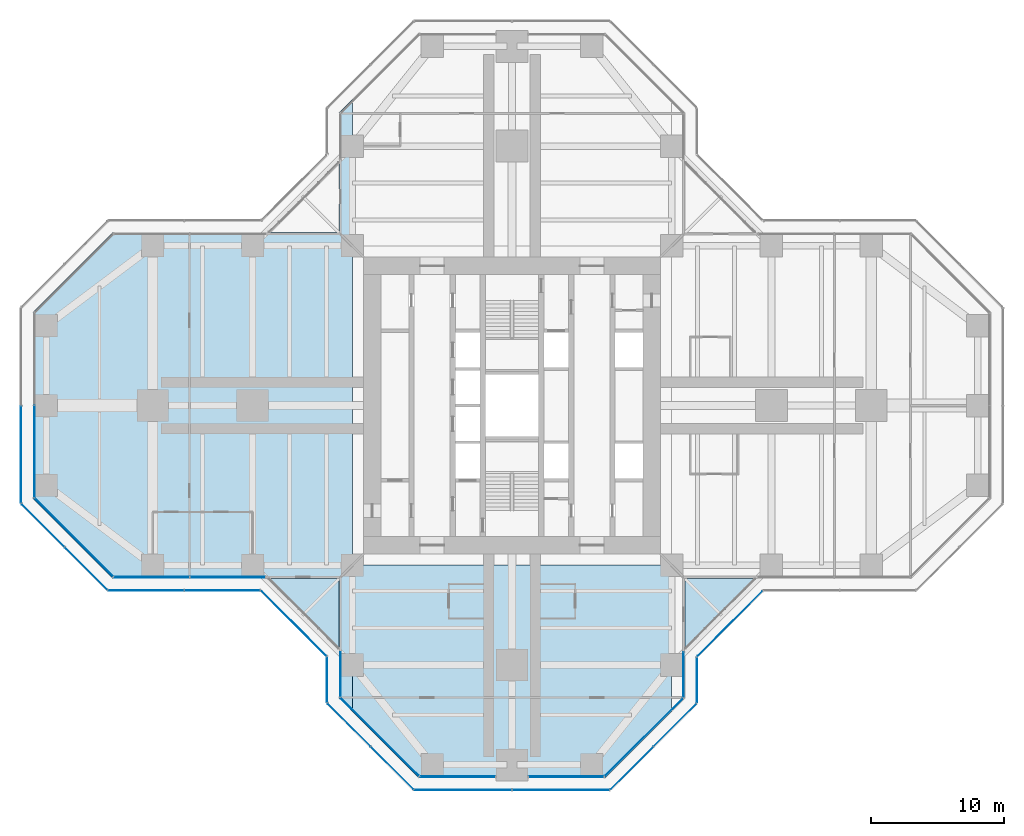
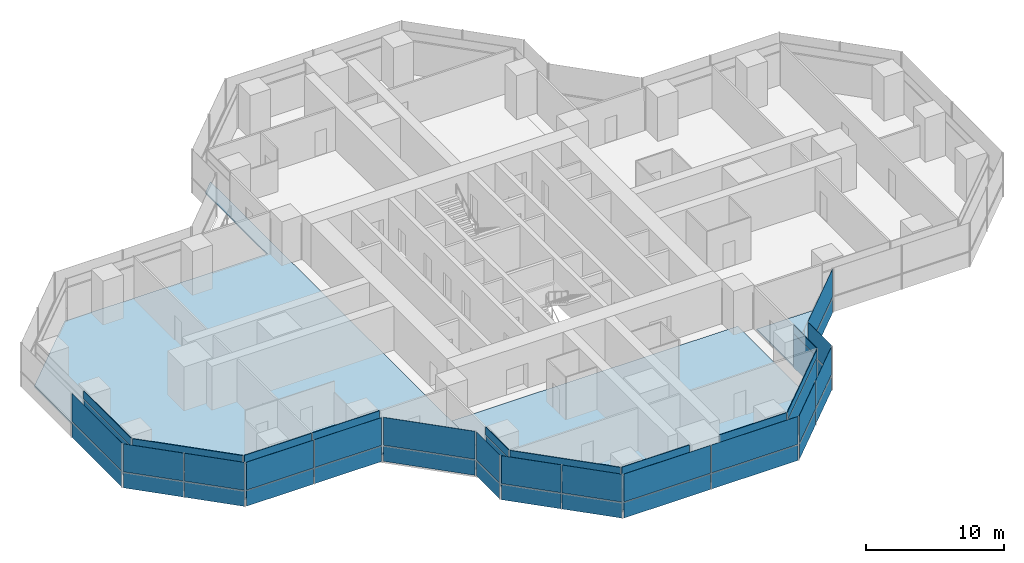
# One storey, part 12 of 19: 50 plates, 4 slabs, 19 elements without a shape of their own.
"""IFC4 building model written with IfcOpenShell, lengths in metres."""

import ifcopenshell
import ifcopenshell.guid

model = None  # the IFC model being written
_history = None  # IfcOwnerHistory: only IFC2X3 demands one
_inside = {}  # id of a spatial element -> (the spatial element, [elements in it])
_under = {}  # id of a project, library or spatial element -> (it, [spatial elements below it])
_declared = {}  # id of a project -> (the project, [libraries it declares])
_typed = {}  # id of a type object -> (the type object, [elements of that type])
_made_of = {}  # id of a material, layer set ... -> (it, [elements and type objects made of it])


def new_model(schema):
    """Start an empty IFC model of exactly this schema.

    Asked for "IFC4X3", IfcOpenShell would pick the latest addendum, in which some entities
    have other attributes; the version numbers below select the first issue.
    IFC2X3 requires an IfcOwnerHistory on every rooted entity: one is made here for all.
    """
    global model, _history
    if schema == "IFC4X3":
        model = ifcopenshell.file(schema_version=(4, 3, 0, 0))
    else:
        model = ifcopenshell.file(schema=schema)
    _inside.clear()
    _under.clear()
    _declared.clear()
    _typed.clear()
    _made_of.clear()
    _history = None
    if model.schema == "IFC2X3":
        org = make("IfcOrganization", Name="unknown")
        user = make(
            "IfcPersonAndOrganization",
            ThePerson=make("IfcPerson", FamilyName="unknown"),
            TheOrganization=org,
        )
        app = make(
            "IfcApplication",
            ApplicationDeveloper=org,
            Version="unknown",
            ApplicationFullName="unknown",
            ApplicationIdentifier="unknown",
        )
        _history = make(
            "IfcOwnerHistory",
            OwningUser=user,
            OwningApplication=app,
            ChangeAction="ADDED",
            CreationDate=0,
        )
    return model


def make(cls, **values):
    """One entity of the class cls with the attributes given. An attribute that is None is left unset."""
    return model.create_entity(
        cls, **{name: value for name, value in values.items() if value is not None}
    )


def rooted(cls, **values):
    """An entity with a GlobalId (a new one), such as an element, a storey or a relation."""
    return make(cls, GlobalId=ifcopenshell.guid.new(), OwnerHistory=_history, **values)


def si_unit(unit_type, name, prefix=None):
    """IfcSIUnit, for example si_unit("LENGTHUNIT", "METRE", prefix="MILLI")."""
    return make("IfcSIUnit", UnitType=unit_type, Prefix=prefix, Name=name)


def assignment(units):
    """IfcUnitAssignment: the units of a project."""
    return None if units is None else make("IfcUnitAssignment", Units=units)


def point(xyz):
    """IfcCartesianPoint."""
    return None if xyz is None else make("IfcCartesianPoint", Coordinates=xyz)


def direction(xyz):
    """IfcDirection."""
    return None if xyz is None else make("IfcDirection", DirectionRatios=xyz)


def frame(location, z_axis=None, x_axis=None):
    """IfcAxis2Placement3D, a coordinate frame: its origin and axes. An axis left out is left unset."""
    return make(
        "IfcAxis2Placement3D",
        Location=point(location),
        Axis=direction(z_axis),
        RefDirection=direction(x_axis),
    )


def frame_2d(location, x_axis=None):
    """IfcAxis2Placement2D, a coordinate frame in the plane: its origin and x axis."""
    return make(
        "IfcAxis2Placement2D", Location=point(location), RefDirection=direction(x_axis)
    )


def origin():
    """The frame at (0, 0, 0) with its axes left unset."""
    return frame((0.0, 0.0, 0.0))


def origin_2d():
    """The frame at (0, 0) in the plane with its x axis left unset."""
    return frame_2d((0.0, 0.0))


def place(relative_to, where):
    """IfcLocalPlacement: puts the frame where relative to a parent placement (None: the world)."""
    return make(
        "IfcLocalPlacement", PlacementRelTo=relative_to, RelativePlacement=where
    )


def context(
    kind, dimensions, precision=None, world=None, true_north=None, identifier=None
):
    """IfcGeometricRepresentationContext, for example the 3D "Model" context."""
    return make(
        "IfcGeometricRepresentationContext",
        ContextIdentifier=identifier,
        ContextType=kind,
        CoordinateSpaceDimension=dimensions,
        Precision=precision,
        WorldCoordinateSystem=world,
        TrueNorth=true_north,
    )


def subcontext(parent, identifier, kind, view, scale=None):
    """IfcGeometricRepresentationSubContext, for example "Body" below "Model"."""
    return make(
        "IfcGeometricRepresentationSubContext",
        ContextIdentifier=identifier,
        ContextType=kind,
        ParentContext=parent,
        TargetScale=scale,
        TargetView=view,
    )


def project(units=None, contexts=None):
    """IfcProject with its units and contexts."""
    return rooted(
        "IfcProject",
        Name="project",
        RepresentationContexts=contexts,
        UnitsInContext=assignment(units),
    )


def spatial(cls, under=None, at=None, **own):
    """A site, building, storey or space (cls), placed at a placement, below another one or the project."""
    s = rooted(cls, ObjectPlacement=at, **own)
    if under is not None:
        _under.setdefault(under.id(), (under, []))[1].append(s)
    return s


def polyline(points):
    """IfcPolyline through the points."""
    return make("IfcPolyline", Points=[point(p) for p in points])


def profile(cls, at=None, kind="AREA", **sizes):
    """A parametric profile (cls). Its sizes go by their IFC names, for example OverallWidth=200.0."""
    return make(cls, ProfileType=kind, Position=at, **sizes)


def rectangle(**sizes):
    """IfcRectangleProfileDef."""
    return profile("IfcRectangleProfileDef", **sizes)


def outline(outer, holes=None, kind="AREA"):
    """IfcArbitraryClosedProfileDef: a profile drawn as a closed curve; with holes, ...WithVoids."""
    if holes is None:
        return make("IfcArbitraryClosedProfileDef", ProfileType=kind, OuterCurve=outer)
    return make(
        "IfcArbitraryProfileDefWithVoids",
        ProfileType=kind,
        OuterCurve=outer,
        InnerCurves=holes,
    )


def extrude(swept, where, along, depth):
    """IfcExtrudedAreaSolid: the profile swept, set in the frame where, extruded along a direction by depth."""
    return make(
        "IfcExtrudedAreaSolid",
        SweptArea=swept,
        Position=where,
        ExtrudedDirection=direction(along),
        Depth=depth,
    )


def shape(context_of_items, identifier, shape_type, items):
    """IfcShapeRepresentation: the items that make up one representation, for example the "Body"."""
    return make(
        "IfcShapeRepresentation",
        ContextOfItems=context_of_items,
        RepresentationIdentifier=identifier,
        RepresentationType=shape_type,
        Items=items,
    )


def material(Name=None, Category=None):
    """IfcMaterial."""
    return make("IfcMaterial", Name=Name, Category=Category)


def layer(
    of_material, thickness, ventilated=None, Name=None, Category=None, Priority=None
):
    """IfcMaterialLayer: one layer of a wall or slab, of a material (None: an air gap)."""
    return make(
        "IfcMaterialLayer",
        Material=of_material,
        LayerThickness=thickness,
        IsVentilated=ventilated,
        Name=Name,
        Category=Category,
        Priority=Priority,
    )


def layer_set(layers, Name=None):
    """IfcMaterialLayerSet."""
    return make("IfcMaterialLayerSet", MaterialLayers=layers, LayerSetName=Name)


def made_of(thing, what):
    """Note that an element or type object is made of a material, layer set ...; save() writes the relation."""
    if what is not None:
        _made_of.setdefault(what.id(), (what, []))[1].append(thing)
    return thing


def type_object(cls, material=None, **own):
    """A type object (cls), such as IfcWallType, which elements share."""
    return made_of(rooted(cls, **own), material)


def element(
    cls,
    number,
    at=None,
    inside=None,
    cuts=None,
    type_object=None,
    material=None,
    context=None,
    identifier="Body",
    shape_type=None,
    held_by="IfcProductDefinitionShape",
    body=None,
    shapes=None,
    **own,
):
    """One element of the class cls, such as IfcWall. Its Tag is "e" and its number.

    at: its placement. inside: the storey or other place that contains it. cuts: it is an
    opening in that element (IfcRelVoidsElement). A single representation is given by context,
    identifier, shape_type and body (its items); several are given by shapes. held_by: the class
    of the entity that holds the representations. save() writes the other relations.
    """
    e = rooted(cls, Tag="e%d" % number, ObjectPlacement=at, **own)
    if body is not None:
        shapes = [shape(context, identifier, shape_type, body)]
    if shapes is not None:
        e.Representation = make(held_by, Representations=shapes)
    if inside is not None:
        _inside.setdefault(inside.id(), (inside, []))[1].append(e)
    if cuts is not None:
        rooted(
            "IfcRelVoidsElement", RelatingBuildingElement=cuts, RelatedOpeningElement=e
        )
    if type_object is not None:
        _typed.setdefault(type_object.id(), (type_object, []))[1].append(e)
    return made_of(e, material)


def aggregate(whole, parts):
    """IfcRelAggregates: a whole, such as a stair, and the parts it consists of."""
    return rooted("IfcRelAggregates", RelatingObject=whole, RelatedObjects=parts)


def save(model, path):
    """Write the relations noted so far, then the file.

    IfcRelAggregates (storeys below a building ...), IfcRelContainedInSpatialStructure (elements
    in a storey), IfcRelDefinesByType, IfcRelAssociatesMaterial and IfcRelDeclares: one each for
    every whole, place, type object, material and project.
    """
    for whole, parts in _under.values():
        aggregate(whole, parts)
    for where, things in _inside.values():
        rooted(
            "IfcRelContainedInSpatialStructure",
            RelatedElements=things,
            RelatingStructure=where,
        )
    for kind, things in _typed.values():
        rooted("IfcRelDefinesByType", RelatedObjects=things, RelatingType=kind)
    for what, things in _made_of.values():
        rooted("IfcRelAssociatesMaterial", RelatedObjects=things, RelatingMaterial=what)
    for by, libraries in _declared.values():
        rooted("IfcRelDeclares", RelatingContext=by, RelatedDefinitions=libraries)
    model.write(path)


model = new_model("IFC4")

# Units and contexts
model_context = context("Model", 3, precision=1e-05, world=origin(), true_north=direction((0.0, 1.0)))
body_context = subcontext(model_context, "Body", "Model", "MODEL_VIEW")
ifc_project = project(units=[si_unit("LENGTHUNIT", "METRE"), si_unit("AREAUNIT", "SQUARE_METRE"), si_unit("VOLUMEUNIT", "CUBIC_METRE"), si_unit("PLANEANGLEUNIT", "RADIAN"), si_unit("MASSUNIT", "GRAM", prefix="KILO")], contexts=[model_context])

# Site, building, storey
site_placement = place(None, origin())
site = spatial("IfcSite", under=ifc_project, at=site_placement, CompositionType="ELEMENT")
building_placement = place(site_placement, origin())
building = spatial("IfcBuilding", under=site, at=building_placement, Name="Mizan Broadcast Tower", CompositionType="ELEMENT")
storey_placement = place(building_placement, frame((0.0, 0.0, 186.60009765625)))
storey = spatial("IfcBuildingStorey", under=building, at=storey_placement, Name="L43", CompositionType="ELEMENT", Elevation=186.60009765625)

# Slabs
ifc_material_1 = material(Name="Concrete C32/40", Category="concrete")
ifc_layer_1 = layer(ifc_material_1, 0.1298828125)
ifc_layer_set_1 = layer_set([ifc_layer_1], Name="Concrete C32/40")
slab_type_1 = type_object("IfcSlabType", Name="COMPOSITE DECK SLAB 130", PredefinedType="FLOOR", material=ifc_layer_set_1)
slab_1_placement = place(storey_placement, frame((0.0, 0.0, -0.130126953125)))
element("IfcSlab", 1, at=slab_1_placement, inside=storey, type_object=slab_type_1, Name="Floor slab L43 west arm", PredefinedType="FLOOR", context=body_context, shape_type="SweptSolid", body=[
    extrude(outline(polyline([(-13.0, -22.0), (-12.0, -23.0), (-12.0, 23.0), (-13.0, 22.0), (-13.0, 13.0), (-30.0, 13.0), (-36.0, 7.0), (-36.0, -7.0), (-30.0, -13.0), (-13.0, -13.0), (-13.0, -22.0)])), origin(), (0.0, 0.0, 1.0), 0.130126953125),
])
slab_2_placement = place(storey_placement, frame((0.0, 0.0, -0.130126953125)))
element("IfcSlab", 2, at=slab_2_placement, inside=storey, type_object=slab_type_1, Name="Floor slab L43 south arm", PredefinedType="FLOOR", context=body_context, shape_type="SweptSolid", body=[
    extrude(outline(polyline([(7.0, -28.0), (12.0, -23.0), (12.0, -12.0), (-12.0, -12.0), (-12.0, -23.0), (-7.0, -28.0), (7.0, -28.0)])), origin(), (0.0, 0.0, 1.0), 0.130126953125),
])

# Curtain wall, plate
ifc_material_2 = material(Name="Aluminium framed glazing", Category="aluminium")
curtain_wall_type_1 = type_object("IfcCurtainWallType", Name="INNER SKIN MID ZONE", PredefinedType="USERDEFINED", material=ifc_material_2)
curtain_wall_1_placement = place(storey_placement, origin())
curtain_wall_1 = element("IfcCurtainWall", 3, at=curtain_wall_1_placement, inside=storey, type_object=curtain_wall_type_1, Name="Inner skin mid zone L43 W end", ObjectType="INNER SKIN MID ZONE", PredefinedType="USERDEFINED")
ifc_material_3 = material(Name="Double glazing, clear low-e", Category="glass")
ifc_layer_2 = layer(ifc_material_3, 0.028076171875)
ifc_layer_set_2 = layer_set([ifc_layer_2], Name="Double glazing, clear low-e")
plate_type_1 = type_object("IfcPlateType", Name="INNER SKIN GLAZING UNIT", PredefinedType="CURTAIN_PANEL", material=ifc_layer_set_2)
plate_1_placement = place(storey_placement, frame((-35.89990234375, -3.46435546875, 0.0), z_axis=(0.0, 0.0, 1.0), x_axis=(0.0, -1.0, 0.0)))
plate_1 = element("IfcPlate", 4, at=plate_1_placement, type_object=plate_type_1, Name="Inner skin mid zone L43 W end panel 2.1", PredefinedType="CURTAIN_PANEL", context=body_context, shape_type="SweptSolid", body=[
    extrude(rectangle(XDim=6.86865234375, YDim=0.028076171875, at=origin_2d()), origin(), (0.0, 0.0, 1.0), 3.0),
])

curtain_wall_2_placement = place(storey_placement, origin())
curtain_wall_2 = element("IfcCurtainWall", 5, at=curtain_wall_2_placement, inside=storey, type_object=curtain_wall_type_1, Name="Inner skin mid zone L43 W chamfer", ObjectType="INNER SKIN MID ZONE", PredefinedType="USERDEFINED")
plate_2_placement = place(storey_placement, frame((-32.92919921875, -9.92919921875, 0.0), z_axis=(0.0, 0.0, 1.0), x_axis=(0.707106781187, -0.707106781187, 0.0)))
plate_2 = element("IfcPlate", 6, at=plate_2_placement, type_object=plate_type_1, Name="Inner skin mid zone L43 W chamfer panel 1.1", PredefinedType="CURTAIN_PANEL", context=body_context, shape_type="SweptSolid", body=[
    extrude(rectangle(XDim=8.282470703125, YDim=0.028076171875, at=origin_2d()), origin(), (0.0, 0.0, 1.0), 3.0),
])

# Curtain wall, plates
curtain_wall_3_placement = place(storey_placement, origin())
curtain_wall_3 = element("IfcCurtainWall", 7, at=curtain_wall_3_placement, inside=storey, type_object=curtain_wall_type_1, Name="Inner skin mid zone L43 W side", ObjectType="INNER SKIN MID ZONE", PredefinedType="USERDEFINED")
plate_3_placement = place(storey_placement, frame((-27.078857421875, -12.89990234375, 0.0), z_axis=(0.0, 0.0, 1.0), x_axis=(1.0, 0.0, 0.0)))
plate_3 = element("IfcPlate", 8, at=plate_3_placement, type_object=plate_type_1, Name="Inner skin mid zone L43 W side panel 1.1", PredefinedType="CURTAIN_PANEL", context=body_context, shape_type="SweptSolid", body=[
    extrude(rectangle(XDim=5.639404296875, YDim=0.028076171875, at=origin_2d()), origin(), (0.0, 0.0, 1.0), 3.0),
])
plate_4_placement = place(storey_placement, frame((-21.379638671875, -12.89990234375, 0.0), z_axis=(0.0, 0.0, 1.0), x_axis=(1.0, 0.0, 0.0)))
plate_4 = element("IfcPlate", 9, at=plate_4_placement, type_object=plate_type_1, Name="Inner skin mid zone L43 W side panel 2.1", PredefinedType="CURTAIN_PANEL", context=body_context, shape_type="SweptSolid", body=[
    extrude(rectangle(XDim=5.639404296875, YDim=0.028076171875, at=origin_2d()), origin(), (0.0, 0.0, 1.0), 3.0),
])

# Curtain wall, plate
curtain_wall_4_placement = place(storey_placement, origin())
curtain_wall_4 = element("IfcCurtainWall", 10, at=curtain_wall_4_placement, inside=storey, type_object=curtain_wall_type_1, Name="Inner skin mid zone L43 S side", ObjectType="INNER SKIN MID ZONE", PredefinedType="USERDEFINED")
plate_5_placement = place(storey_placement, frame((-12.89990234375, -20.229248046875, 0.0), z_axis=(0.0, 0.0, 1.0), x_axis=(0.0, -1.0, 0.0)))
plate_5 = element("IfcPlate", 11, at=plate_5_placement, type_object=plate_type_1, Name="Inner skin mid zone L43 S side panel 1.1", PredefinedType="CURTAIN_PANEL", context=body_context, shape_type="SweptSolid", body=[
    extrude(rectangle(XDim=3.338623046875, YDim=0.028076171875, at=origin_2d()), origin(), (0.0, 0.0, 1.0), 3.0),
])

curtain_wall_5_placement = place(storey_placement, origin())
curtain_wall_5 = element("IfcCurtainWall", 12, at=curtain_wall_5_placement, inside=storey, type_object=curtain_wall_type_1, Name="Inner skin mid zone L43 S chamfer", ObjectType="INNER SKIN MID ZONE", PredefinedType="USERDEFINED")
plate_6_placement = place(storey_placement, frame((-9.92919921875, -24.92919921875, 0.0), z_axis=(0.0, 0.0, 1.0), x_axis=(0.707106781187, -0.707106781187, 0.0)))
plate_6 = element("IfcPlate", 13, at=plate_6_placement, type_object=plate_type_1, Name="Inner skin mid zone L43 S chamfer panel 1.1", PredefinedType="CURTAIN_PANEL", context=body_context, shape_type="SweptSolid", body=[
    extrude(rectangle(XDim=8.282470703125, YDim=0.028076171875, at=origin_2d()), origin(), (0.0, 0.0, 1.0), 3.0),
])

curtain_wall_6_placement = place(storey_placement, origin())
curtain_wall_6 = element("IfcCurtainWall", 14, at=curtain_wall_6_placement, inside=storey, type_object=curtain_wall_type_1, Name="Inner skin mid zone L43 S end", ObjectType="INNER SKIN MID ZONE", PredefinedType="USERDEFINED")
plate_7_placement = place(storey_placement, frame((-4.079345703125, -27.89990234375, 0.0), z_axis=(0.0, 0.0, 1.0), x_axis=(1.0, 0.0, 0.0)))
plate_7 = element("IfcPlate", 15, at=plate_7_placement, type_object=plate_type_1, Name="Inner skin mid zone L43 S end panel 1.1", PredefinedType="CURTAIN_PANEL", context=body_context, shape_type="SweptSolid", body=[
    extrude(rectangle(XDim=5.638671875, YDim=0.028076171875, at=origin_2d()), origin(), (0.0, 0.0, 1.0), 3.0),
])

curtain_wall_7_placement = place(storey_placement, origin())
curtain_wall_7 = element("IfcCurtainWall", 16, at=curtain_wall_7_placement, inside=storey, type_object=curtain_wall_type_1, Name="Inner skin mid zone L43 S end", ObjectType="INNER SKIN MID ZONE", PredefinedType="USERDEFINED")
plate_8_placement = place(storey_placement, frame((4.079345703125, -27.89990234375, 0.0), z_axis=(0.0, 0.0, 1.0), x_axis=(1.0, 0.0, 0.0)))
plate_8 = element("IfcPlate", 17, at=plate_8_placement, type_object=plate_type_1, Name="Inner skin mid zone L43 S end panel 1.1", PredefinedType="CURTAIN_PANEL", context=body_context, shape_type="SweptSolid", body=[
    extrude(rectangle(XDim=5.638671875, YDim=0.028076171875, at=origin_2d()), origin(), (0.0, 0.0, 1.0), 3.0),
])

curtain_wall_8_placement = place(storey_placement, origin())
curtain_wall_8 = element("IfcCurtainWall", 18, at=curtain_wall_8_placement, inside=storey, type_object=curtain_wall_type_1, Name="Inner skin mid zone L43 S chamfer", ObjectType="INNER SKIN MID ZONE", PredefinedType="USERDEFINED")
plate_9_placement = place(storey_placement, frame((9.92919921875, -24.92919921875, 0.0), z_axis=(0.0, 0.0, 1.0), x_axis=(0.707106781187, 0.707106781187, 0.0)))
plate_9 = element("IfcPlate", 19, at=plate_9_placement, type_object=plate_type_1, Name="Inner skin mid zone L43 S chamfer panel 1.1", PredefinedType="CURTAIN_PANEL", context=body_context, shape_type="SweptSolid", body=[
    extrude(rectangle(XDim=8.282470703125, YDim=0.028076171875, at=origin_2d()), origin(), (0.0, 0.0, 1.0), 3.0),
])

curtain_wall_9_placement = place(storey_placement, origin())
curtain_wall_9 = element("IfcCurtainWall", 20, at=curtain_wall_9_placement, inside=storey, type_object=curtain_wall_type_1, Name="Inner skin mid zone L43 S side", ObjectType="INNER SKIN MID ZONE", PredefinedType="USERDEFINED")
plate_10_placement = place(storey_placement, frame((12.89990234375, -20.229248046875, 0.0), z_axis=(0.0, 0.0, 1.0), x_axis=(0.0, 1.0, 0.0)))
plate_10 = element("IfcPlate", 21, at=plate_10_placement, type_object=plate_type_1, Name="Inner skin mid zone L43 S side panel 1.1", PredefinedType="CURTAIN_PANEL", context=body_context, shape_type="SweptSolid", body=[
    extrude(rectangle(XDim=3.338623046875, YDim=0.028076171875, at=origin_2d()), origin(), (0.0, 0.0, 1.0), 3.0),
])

# Plate
ifc_material_4 = material(Name="Insulated aluminium spandrel panel, pale anodised", Category="aluminium")
ifc_layer_3 = layer(ifc_material_4, 0.050048828125)
ifc_layer_set_3 = layer_set([ifc_layer_3], Name="Insulated aluminium spandrel panel, pale anodised")
plate_type_2 = type_object("IfcPlateType", Name="INNER SKIN SPANDREL PANEL", PredefinedType="CURTAIN_PANEL", material=ifc_layer_set_3)
plate_11_placement = place(storey_placement, frame((-35.89990234375, -3.46435546875, 3.059814453125), z_axis=(0.0, 0.0, 1.0), x_axis=(0.0, -1.0, 0.0)))
plate_11 = element("IfcPlate", 22, at=plate_11_placement, type_object=plate_type_2, Name="Inner skin mid zone L43 W end panel 2.2", PredefinedType="CURTAIN_PANEL", context=body_context, shape_type="SweptSolid", body=[
    extrude(rectangle(XDim=6.86865234375, YDim=0.050048828125, at=origin_2d()), origin(), (0.0, 0.0, 1.0), 0.7099609375),
])

aggregate(curtain_wall_1, [plate_1, plate_11])

plate_12_placement = place(storey_placement, frame((-32.92919921875, -9.92919921875, 3.059814453125), z_axis=(0.0, 0.0, 1.0), x_axis=(0.707106781187, -0.707106781187, 0.0)))
plate_12 = element("IfcPlate", 23, at=plate_12_placement, type_object=plate_type_2, Name="Inner skin mid zone L43 W chamfer panel 1.2", PredefinedType="CURTAIN_PANEL", context=body_context, shape_type="SweptSolid", body=[
    extrude(rectangle(XDim=8.282470703125, YDim=0.050048828125, at=origin_2d()), origin(), (0.0, 0.0, 1.0), 0.7099609375),
])

aggregate(curtain_wall_2, [plate_2, plate_12])

plate_13_placement = place(storey_placement, frame((-27.078857421875, -12.89990234375, 3.059814453125), z_axis=(0.0, 0.0, 1.0), x_axis=(1.0, 0.0, 0.0)))
plate_13 = element("IfcPlate", 24, at=plate_13_placement, type_object=plate_type_2, Name="Inner skin mid zone L43 W side panel 1.2", PredefinedType="CURTAIN_PANEL", context=body_context, shape_type="SweptSolid", body=[
    extrude(rectangle(XDim=5.639404296875, YDim=0.050048828125, at=origin_2d()), origin(), (0.0, 0.0, 1.0), 0.7099609375),
])

plate_14_placement = place(storey_placement, frame((-21.379638671875, -12.89990234375, 3.059814453125), z_axis=(0.0, 0.0, 1.0), x_axis=(1.0, 0.0, 0.0)))
plate_14 = element("IfcPlate", 25, at=plate_14_placement, type_object=plate_type_2, Name="Inner skin mid zone L43 W side panel 2.2", PredefinedType="CURTAIN_PANEL", context=body_context, shape_type="SweptSolid", body=[
    extrude(rectangle(XDim=5.639404296875, YDim=0.050048828125, at=origin_2d()), origin(), (0.0, 0.0, 1.0), 0.7099609375),
])

aggregate(curtain_wall_3, [plate_3, plate_13, plate_4, plate_14])

plate_15_placement = place(storey_placement, frame((-12.89990234375, -20.229248046875, 3.059814453125), z_axis=(0.0, 0.0, 1.0), x_axis=(0.0, -1.0, 0.0)))
plate_15 = element("IfcPlate", 26, at=plate_15_placement, type_object=plate_type_2, Name="Inner skin mid zone L43 S side panel 1.2", PredefinedType="CURTAIN_PANEL", context=body_context, shape_type="SweptSolid", body=[
    extrude(rectangle(XDim=3.338623046875, YDim=0.050048828125, at=origin_2d()), origin(), (0.0, 0.0, 1.0), 0.7099609375),
])

aggregate(curtain_wall_4, [plate_5, plate_15])

plate_16_placement = place(storey_placement, frame((-9.92919921875, -24.92919921875, 3.059814453125), z_axis=(0.0, 0.0, 1.0), x_axis=(0.707106781187, -0.707106781187, 0.0)))
plate_16 = element("IfcPlate", 27, at=plate_16_placement, type_object=plate_type_2, Name="Inner skin mid zone L43 S chamfer panel 1.2", PredefinedType="CURTAIN_PANEL", context=body_context, shape_type="SweptSolid", body=[
    extrude(rectangle(XDim=8.282470703125, YDim=0.050048828125, at=origin_2d()), origin(), (0.0, 0.0, 1.0), 0.7099609375),
])

aggregate(curtain_wall_5, [plate_6, plate_16])

plate_17_placement = place(storey_placement, frame((-4.079345703125, -27.89990234375, 3.059814453125), z_axis=(0.0, 0.0, 1.0), x_axis=(1.0, 0.0, 0.0)))
plate_17 = element("IfcPlate", 28, at=plate_17_placement, type_object=plate_type_2, Name="Inner skin mid zone L43 S end panel 1.2", PredefinedType="CURTAIN_PANEL", context=body_context, shape_type="SweptSolid", body=[
    extrude(rectangle(XDim=5.638671875, YDim=0.050048828125, at=origin_2d()), origin(), (0.0, 0.0, 1.0), 0.7099609375),
])

aggregate(curtain_wall_6, [plate_7, plate_17])

plate_18_placement = place(storey_placement, frame((4.079345703125, -27.89990234375, 3.059814453125), z_axis=(0.0, 0.0, 1.0), x_axis=(1.0, 0.0, 0.0)))
plate_18 = element("IfcPlate", 29, at=plate_18_placement, type_object=plate_type_2, Name="Inner skin mid zone L43 S end panel 1.2", PredefinedType="CURTAIN_PANEL", context=body_context, shape_type="SweptSolid", body=[
    extrude(rectangle(XDim=5.638671875, YDim=0.050048828125, at=origin_2d()), origin(), (0.0, 0.0, 1.0), 0.7099609375),
])

aggregate(curtain_wall_7, [plate_8, plate_18])

plate_19_placement = place(storey_placement, frame((9.92919921875, -24.92919921875, 3.059814453125), z_axis=(0.0, 0.0, 1.0), x_axis=(0.707106781187, 0.707106781187, 0.0)))
plate_19 = element("IfcPlate", 30, at=plate_19_placement, type_object=plate_type_2, Name="Inner skin mid zone L43 S chamfer panel 1.2", PredefinedType="CURTAIN_PANEL", context=body_context, shape_type="SweptSolid", body=[
    extrude(rectangle(XDim=8.282470703125, YDim=0.050048828125, at=origin_2d()), origin(), (0.0, 0.0, 1.0), 0.7099609375),
])

aggregate(curtain_wall_8, [plate_9, plate_19])

plate_20_placement = place(storey_placement, frame((12.89990234375, -20.229248046875, 3.059814453125), z_axis=(0.0, 0.0, 1.0), x_axis=(0.0, 1.0, 0.0)))
plate_20 = element("IfcPlate", 31, at=plate_20_placement, type_object=plate_type_2, Name="Inner skin mid zone L43 S side panel 1.2", PredefinedType="CURTAIN_PANEL", context=body_context, shape_type="SweptSolid", body=[
    extrude(rectangle(XDim=3.338623046875, YDim=0.050048828125, at=origin_2d()), origin(), (0.0, 0.0, 1.0), 0.7099609375),
])

aggregate(curtain_wall_9, [plate_10, plate_20])

# Curtain wall, plates
ifc_material_5 = material(Name="Aluminium framed glazing", Category="aluminium")
curtain_wall_type_2 = type_object("IfcCurtainWallType", Name="OUTER SKIN", PredefinedType="USERDEFINED", material=ifc_material_5)
curtain_wall_10_placement = place(storey_placement, origin())
curtain_wall_10 = element("IfcCurtainWall", 32, at=curtain_wall_10_placement, inside=storey, type_object=curtain_wall_type_2, Name="Outer skin L43 W chamfer", ObjectType="OUTER SKIN", PredefinedType="USERDEFINED")
ifc_material_6 = material(Name="Laminated clear glass", Category="glass")
ifc_layer_4 = layer(ifc_material_6, 0.02001953125)
ifc_layer_set_4 = layer_set([ifc_layer_4], Name="Laminated clear glass")
plate_type_3 = type_object("IfcPlateType", Name="OUTER SKIN CLEAR GLASS", PredefinedType="CURTAIN_PANEL", material=ifc_layer_set_4)
plate_21_placement = place(storey_placement, frame((-35.254150390625, -9.018798828125, -0.000244140625), z_axis=(0.0, 0.0, 1.0), x_axis=(0.707106781187, -0.707106781187, 0.0)))
plate_21 = element("IfcPlate", 33, at=plate_21_placement, type_object=plate_type_3, Name="Outer skin L43 W chamfer panel 1.1", PredefinedType="CURTAIN_PANEL", context=body_context, shape_type="SweptSolid", body=[
    extrude(rectangle(XDim=4.495361328125, YDim=0.02001953125, at=origin_2d()), origin(), (0.0, 0.0, 1.0), 1.3701171875),
])
plate_22_placement = place(storey_placement, frame((-35.254150390625, -9.018798828125, 1.4296875), z_axis=(0.0, 0.0, 1.0), x_axis=(0.707106781187, -0.707106781187, 0.0)))
plate_22 = element("IfcPlate", 34, at=plate_22_placement, type_object=plate_type_3, Name="Outer skin L43 W chamfer panel 1.2", PredefinedType="CURTAIN_PANEL", context=body_context, shape_type="SweptSolid", body=[
    extrude(rectangle(XDim=4.495361328125, YDim=0.02001953125, at=origin_2d()), origin(), (0.0, 0.0, 1.0), 2.469970703125),
])

curtain_wall_11_placement = place(storey_placement, origin())
curtain_wall_11 = element("IfcCurtainWall", 35, at=curtain_wall_11_placement, inside=storey, type_object=curtain_wall_type_2, Name="Outer skin L43 W side", ObjectType="OUTER SKIN", PredefinedType="USERDEFINED")
plate_23_placement = place(storey_placement, frame((-27.477783203125, -13.89990234375, -0.000244140625), z_axis=(0.0, 0.0, 1.0), x_axis=(1.0, 0.0, 0.0)))
plate_23 = element("IfcPlate", 36, at=plate_23_placement, type_object=plate_type_3, Name="Outer skin L43 W side panel 1.1", PredefinedType="CURTAIN_PANEL", context=body_context, shape_type="SweptSolid", body=[
    extrude(rectangle(XDim=5.6298828125, YDim=0.02001953125, at=origin_2d()), origin(), (0.0, 0.0, 1.0), 1.3701171875),
])
plate_24_placement = place(storey_placement, frame((-27.477783203125, -13.89990234375, 1.4296875), z_axis=(0.0, 0.0, 1.0), x_axis=(1.0, 0.0, 0.0)))
plate_24 = element("IfcPlate", 37, at=plate_24_placement, type_object=plate_type_3, Name="Outer skin L43 W side panel 1.2", PredefinedType="CURTAIN_PANEL", context=body_context, shape_type="SweptSolid", body=[
    extrude(rectangle(XDim=5.6298828125, YDim=0.02001953125, at=origin_2d()), origin(), (0.0, 0.0, 1.0), 2.469970703125),
])

curtain_wall_12_placement = place(storey_placement, origin())
curtain_wall_12 = element("IfcCurtainWall", 38, at=curtain_wall_12_placement, inside=storey, type_object=curtain_wall_type_2, Name="Outer skin L43 W chamfer", ObjectType="OUTER SKIN", PredefinedType="USERDEFINED")
plate_25_placement = place(storey_placement, frame((-16.386474609375, -16.386474609375, -0.000244140625), z_axis=(0.0, 0.0, 1.0), x_axis=(0.707106781187, -0.707106781187, 0.0)))
plate_25 = element("IfcPlate", 39, at=plate_25_placement, type_object=plate_type_3, Name="Outer skin L43 W chamfer panel 1.1", PredefinedType="CURTAIN_PANEL", context=body_context, shape_type="SweptSolid", body=[
    extrude(rectangle(XDim=6.87255859375, YDim=0.02001953125, at=origin_2d()), origin(), (0.0, 0.0, 1.0), 1.3701171875),
])
plate_26_placement = place(storey_placement, frame((-16.386474609375, -16.386474609375, 1.4296875), z_axis=(0.0, 0.0, 1.0), x_axis=(0.707106781187, -0.707106781187, 0.0)))
plate_26 = element("IfcPlate", 40, at=plate_26_placement, type_object=plate_type_3, Name="Outer skin L43 W chamfer panel 1.2", PredefinedType="CURTAIN_PANEL", context=body_context, shape_type="SweptSolid", body=[
    extrude(rectangle(XDim=6.87255859375, YDim=0.02001953125, at=origin_2d()), origin(), (0.0, 0.0, 1.0), 2.469970703125),
])
aggregate(curtain_wall_12, [plate_25, plate_26])

curtain_wall_13_placement = place(storey_placement, origin())
curtain_wall_13 = element("IfcCurtainWall", 41, at=curtain_wall_13_placement, inside=storey, type_object=curtain_wall_type_2, Name="Outer skin L43 S side", ObjectType="OUTER SKIN", PredefinedType="USERDEFINED")
plate_27_placement = place(storey_placement, frame((-13.89990234375, -20.622802734375, -0.000244140625), z_axis=(0.0, 0.0, 1.0), x_axis=(0.0, -1.0, 0.0)))
plate_27 = element("IfcPlate", 42, at=plate_27_placement, type_object=plate_type_3, Name="Outer skin L43 S side panel 1.1", PredefinedType="CURTAIN_PANEL", context=body_context, shape_type="SweptSolid", body=[
    extrude(rectangle(XDim=3.340087890625, YDim=0.02001953125, at=origin_2d()), origin(), (0.0, 0.0, 1.0), 1.3701171875),
])
plate_28_placement = place(storey_placement, frame((-13.89990234375, -20.622802734375, 1.4296875), z_axis=(0.0, 0.0, 1.0), x_axis=(0.0, -1.0, 0.0)))
plate_28 = element("IfcPlate", 43, at=plate_28_placement, type_object=plate_type_3, Name="Outer skin L43 S side panel 1.2", PredefinedType="CURTAIN_PANEL", context=body_context, shape_type="SweptSolid", body=[
    extrude(rectangle(XDim=3.340087890625, YDim=0.02001953125, at=origin_2d()), origin(), (0.0, 0.0, 1.0), 2.469970703125),
])
aggregate(curtain_wall_13, [plate_27, plate_28])

curtain_wall_14_placement = place(storey_placement, origin())
curtain_wall_14 = element("IfcCurtainWall", 44, at=curtain_wall_14_placement, inside=storey, type_object=curtain_wall_type_2, Name="Outer skin L43 S chamfer", ObjectType="OUTER SKIN", PredefinedType="USERDEFINED")
plate_29_placement = place(storey_placement, frame((-12.254150390625, -24.018798828125, -0.000244140625), z_axis=(0.0, 0.0, 1.0), x_axis=(0.707106781187, -0.707106781187, 0.0)))
plate_29 = element("IfcPlate", 45, at=plate_29_placement, type_object=plate_type_3, Name="Outer skin L43 S chamfer panel 1.1", PredefinedType="CURTAIN_PANEL", context=body_context, shape_type="SweptSolid", body=[
    extrude(rectangle(XDim=4.495361328125, YDim=0.02001953125, at=origin_2d()), origin(), (0.0, 0.0, 1.0), 1.3701171875),
])
plate_30_placement = place(storey_placement, frame((-12.254150390625, -24.018798828125, 1.4296875), z_axis=(0.0, 0.0, 1.0), x_axis=(0.707106781187, -0.707106781187, 0.0)))
plate_30 = element("IfcPlate", 46, at=plate_30_placement, type_object=plate_type_3, Name="Outer skin L43 S chamfer panel 1.2", PredefinedType="CURTAIN_PANEL", context=body_context, shape_type="SweptSolid", body=[
    extrude(rectangle(XDim=4.495361328125, YDim=0.02001953125, at=origin_2d()), origin(), (0.0, 0.0, 1.0), 2.469970703125),
])

curtain_wall_15_placement = place(storey_placement, origin())
curtain_wall_15 = element("IfcCurtainWall", 47, at=curtain_wall_15_placement, inside=storey, type_object=curtain_wall_type_2, Name="Outer skin L43 S end", ObjectType="OUTER SKIN", PredefinedType="USERDEFINED")
plate_31_placement = place(storey_placement, frame((-3.66650390625, -28.89990234375, -0.000244140625), z_axis=(0.0, 0.0, 1.0), x_axis=(1.0, 0.0, 0.0)))
plate_31 = element("IfcPlate", 48, at=plate_31_placement, type_object=plate_type_3, Name="Outer skin L43 S end panel 1.1", PredefinedType="CURTAIN_PANEL", context=body_context, shape_type="SweptSolid", body=[
    extrude(rectangle(XDim=7.252685546875, YDim=0.02001953125, at=origin_2d()), origin(), (0.0, 0.0, 1.0), 1.3701171875),
])
plate_32_placement = place(storey_placement, frame((-3.66650390625, -28.89990234375, 1.4296875), z_axis=(0.0, 0.0, 1.0), x_axis=(1.0, 0.0, 0.0)))
plate_32 = element("IfcPlate", 49, at=plate_32_placement, type_object=plate_type_3, Name="Outer skin L43 S end panel 1.2", PredefinedType="CURTAIN_PANEL", context=body_context, shape_type="SweptSolid", body=[
    extrude(rectangle(XDim=7.252685546875, YDim=0.02001953125, at=origin_2d()), origin(), (0.0, 0.0, 1.0), 2.469970703125),
])

curtain_wall_16_placement = place(storey_placement, origin())
curtain_wall_16 = element("IfcCurtainWall", 50, at=curtain_wall_16_placement, inside=storey, type_object=curtain_wall_type_2, Name="Outer skin L43 S chamfer", ObjectType="OUTER SKIN", PredefinedType="USERDEFINED")
plate_33_placement = place(storey_placement, frame((9.018798828125, -27.254150390625, -0.000244140625), z_axis=(0.0, 0.0, 1.0), x_axis=(0.707106781187, 0.707106781187, 0.0)))
plate_33 = element("IfcPlate", 51, at=plate_33_placement, type_object=plate_type_3, Name="Outer skin L43 S chamfer panel 1.1", PredefinedType="CURTAIN_PANEL", context=body_context, shape_type="SweptSolid", body=[
    extrude(rectangle(XDim=4.495361328125, YDim=0.02001953125, at=origin_2d()), origin(), (0.0, 0.0, 1.0), 1.3701171875),
])
plate_34_placement = place(storey_placement, frame((9.018798828125, -27.254150390625, 1.4296875), z_axis=(0.0, 0.0, 1.0), x_axis=(0.707106781187, 0.707106781187, 0.0)))
plate_34 = element("IfcPlate", 52, at=plate_34_placement, type_object=plate_type_3, Name="Outer skin L43 S chamfer panel 1.2", PredefinedType="CURTAIN_PANEL", context=body_context, shape_type="SweptSolid", body=[
    extrude(rectangle(XDim=4.495361328125, YDim=0.02001953125, at=origin_2d()), origin(), (0.0, 0.0, 1.0), 2.469970703125),
])

curtain_wall_17_placement = place(storey_placement, origin())
curtain_wall_17 = element("IfcCurtainWall", 53, at=curtain_wall_17_placement, inside=storey, type_object=curtain_wall_type_2, Name="Outer skin L43 S side", ObjectType="OUTER SKIN", PredefinedType="USERDEFINED")
plate_35_placement = place(storey_placement, frame((13.89990234375, -20.622802734375, -0.000244140625), z_axis=(0.0, 0.0, 1.0), x_axis=(0.0, 1.0, 0.0)))
plate_35 = element("IfcPlate", 54, at=plate_35_placement, type_object=plate_type_3, Name="Outer skin L43 S side panel 1.1", PredefinedType="CURTAIN_PANEL", context=body_context, shape_type="SweptSolid", body=[
    extrude(rectangle(XDim=3.340087890625, YDim=0.02001953125, at=origin_2d()), origin(), (0.0, 0.0, 1.0), 1.3701171875),
])
plate_36_placement = place(storey_placement, frame((13.89990234375, -20.622802734375, 1.4296875), z_axis=(0.0, 0.0, 1.0), x_axis=(0.0, 1.0, 0.0)))
plate_36 = element("IfcPlate", 55, at=plate_36_placement, type_object=plate_type_3, Name="Outer skin L43 S side panel 1.2", PredefinedType="CURTAIN_PANEL", context=body_context, shape_type="SweptSolid", body=[
    extrude(rectangle(XDim=3.340087890625, YDim=0.02001953125, at=origin_2d()), origin(), (0.0, 0.0, 1.0), 2.469970703125),
])
aggregate(curtain_wall_17, [plate_35, plate_36])

curtain_wall_18_placement = place(storey_placement, origin())
curtain_wall_18 = element("IfcCurtainWall", 56, at=curtain_wall_18_placement, inside=storey, type_object=curtain_wall_type_2, Name="Outer skin L43 E chamfer", ObjectType="OUTER SKIN", PredefinedType="USERDEFINED")
plate_37_placement = place(storey_placement, frame((16.386474609375, -16.386474609375, -0.000244140625), z_axis=(0.0, 0.0, 1.0), x_axis=(0.707106781187, 0.707106781187, 0.0)))
plate_37 = element("IfcPlate", 57, at=plate_37_placement, type_object=plate_type_3, Name="Outer skin L43 E chamfer panel 1.1", PredefinedType="CURTAIN_PANEL", context=body_context, shape_type="SweptSolid", body=[
    extrude(rectangle(XDim=6.87255859375, YDim=0.02001953125, at=origin_2d()), origin(), (0.0, 0.0, 1.0), 1.3701171875),
])
plate_38_placement = place(storey_placement, frame((16.386474609375, -16.386474609375, 1.4296875), z_axis=(0.0, 0.0, 1.0), x_axis=(0.707106781187, 0.707106781187, 0.0)))
plate_38 = element("IfcPlate", 58, at=plate_38_placement, type_object=plate_type_3, Name="Outer skin L43 E chamfer panel 1.2", PredefinedType="CURTAIN_PANEL", context=body_context, shape_type="SweptSolid", body=[
    extrude(rectangle(XDim=6.87255859375, YDim=0.02001953125, at=origin_2d()), origin(), (0.0, 0.0, 1.0), 2.469970703125),
])
aggregate(curtain_wall_18, [plate_37, plate_38])

curtain_wall_19_placement = place(storey_placement, origin())
curtain_wall_19 = element("IfcCurtainWall", 59, at=curtain_wall_19_placement, inside=storey, type_object=curtain_wall_type_2, Name="Outer skin L43 W end", ObjectType="OUTER SKIN", PredefinedType="USERDEFINED")
ifc_material_7 = material(Name="Perforated aluminium, pale anodised", Category="aluminium")
ifc_layer_5 = layer(ifc_material_7, 0.011962890625)
ifc_layer_set_5 = layer_set([ifc_layer_5], Name="Perforated aluminium, pale anodised")
plate_type_4 = type_object("IfcPlateType", Name="OUTER SKIN PERFORATED SCREEN", PredefinedType="USERDEFINED", material=ifc_layer_set_5)
plate_39_placement = place(storey_placement, frame((-36.89990234375, -3.66650390625, -0.000244140625), z_axis=(0.0, 0.0, 1.0), x_axis=(0.0, -1.0, 0.0)))
plate_39 = element("IfcPlate", 60, at=plate_39_placement, type_object=plate_type_4, Name="Outer skin L43 W end panel 2.1", ObjectType="SCREEN", PredefinedType="USERDEFINED", context=body_context, shape_type="SweptSolid", body=[
    extrude(rectangle(XDim=7.252685546875, YDim=0.011962890625, at=origin_2d()), origin(), (0.0, 0.0, 1.0), 1.3701171875),
])
plate_40_placement = place(storey_placement, frame((-36.89990234375, -3.66650390625, 1.4296875), z_axis=(0.0, 0.0, 1.0), x_axis=(0.0, -1.0, 0.0)))
plate_40 = element("IfcPlate", 61, at=plate_40_placement, type_object=plate_type_4, Name="Outer skin L43 W end panel 2.2", ObjectType="SCREEN", PredefinedType="USERDEFINED", context=body_context, shape_type="SweptSolid", body=[
    extrude(rectangle(XDim=7.252685546875, YDim=0.011962890625, at=origin_2d()), origin(), (0.0, 0.0, 1.0), 2.469970703125),
])
aggregate(curtain_wall_19, [plate_39, plate_40])

# Plate
plate_41_placement = place(storey_placement, frame((-32.018798828125, -12.254150390625, -0.000244140625), z_axis=(0.0, 0.0, 1.0), x_axis=(0.707106781187, -0.707106781187, 0.0)))
plate_41 = element("IfcPlate", 62, at=plate_41_placement, type_object=plate_type_4, Name="Outer skin L43 W chamfer panel 2.1", ObjectType="SCREEN", PredefinedType="USERDEFINED", context=body_context, shape_type="SweptSolid", body=[
    extrude(rectangle(XDim=4.495361328125, YDim=0.011962890625, at=origin_2d()), origin(), (0.0, 0.0, 1.0), 1.3701171875),
])

plate_42_placement = place(storey_placement, frame((-32.018798828125, -12.254150390625, 1.4296875), z_axis=(0.0, 0.0, 1.0), x_axis=(0.707106781187, -0.707106781187, 0.0)))
plate_42 = element("IfcPlate", 63, at=plate_42_placement, type_object=plate_type_4, Name="Outer skin L43 W chamfer panel 2.2", ObjectType="SCREEN", PredefinedType="USERDEFINED", context=body_context, shape_type="SweptSolid", body=[
    extrude(rectangle(XDim=4.495361328125, YDim=0.011962890625, at=origin_2d()), origin(), (0.0, 0.0, 1.0), 2.469970703125),
])

aggregate(curtain_wall_10, [plate_21, plate_22, plate_41, plate_42])

plate_43_placement = place(storey_placement, frame((-21.767822265625, -13.89990234375, -0.000244140625), z_axis=(0.0, 0.0, 1.0), x_axis=(1.0, 0.0, 0.0)))
plate_43 = element("IfcPlate", 64, at=plate_43_placement, type_object=plate_type_4, Name="Outer skin L43 W side panel 2.1", ObjectType="SCREEN", PredefinedType="USERDEFINED", context=body_context, shape_type="SweptSolid", body=[
    extrude(rectangle(XDim=5.6298828125, YDim=0.011962890625, at=origin_2d()), origin(), (0.0, 0.0, 1.0), 1.3701171875),
])

plate_44_placement = place(storey_placement, frame((-21.767822265625, -13.89990234375, 1.4296875), z_axis=(0.0, 0.0, 1.0), x_axis=(1.0, 0.0, 0.0)))
plate_44 = element("IfcPlate", 65, at=plate_44_placement, type_object=plate_type_4, Name="Outer skin L43 W side panel 2.2", ObjectType="SCREEN", PredefinedType="USERDEFINED", context=body_context, shape_type="SweptSolid", body=[
    extrude(rectangle(XDim=5.6298828125, YDim=0.011962890625, at=origin_2d()), origin(), (0.0, 0.0, 1.0), 2.469970703125),
])

aggregate(curtain_wall_11, [plate_23, plate_24, plate_43, plate_44])

plate_45_placement = place(storey_placement, frame((-9.018798828125, -27.254150390625, -0.000244140625), z_axis=(0.0, 0.0, 1.0), x_axis=(0.707106781187, -0.707106781187, 0.0)))
plate_45 = element("IfcPlate", 66, at=plate_45_placement, type_object=plate_type_4, Name="Outer skin L43 S chamfer panel 2.1", ObjectType="SCREEN", PredefinedType="USERDEFINED", context=body_context, shape_type="SweptSolid", body=[
    extrude(rectangle(XDim=4.495361328125, YDim=0.011962890625, at=origin_2d()), origin(), (0.0, 0.0, 1.0), 1.3701171875),
])

plate_46_placement = place(storey_placement, frame((-9.018798828125, -27.254150390625, 1.4296875), z_axis=(0.0, 0.0, 1.0), x_axis=(0.707106781187, -0.707106781187, 0.0)))
plate_46 = element("IfcPlate", 67, at=plate_46_placement, type_object=plate_type_4, Name="Outer skin L43 S chamfer panel 2.2", ObjectType="SCREEN", PredefinedType="USERDEFINED", context=body_context, shape_type="SweptSolid", body=[
    extrude(rectangle(XDim=4.495361328125, YDim=0.011962890625, at=origin_2d()), origin(), (0.0, 0.0, 1.0), 2.469970703125),
])

aggregate(curtain_wall_14, [plate_29, plate_30, plate_45, plate_46])

plate_47_placement = place(storey_placement, frame((3.66650390625, -28.89990234375, -0.000244140625), z_axis=(0.0, 0.0, 1.0), x_axis=(1.0, 0.0, 0.0)))
plate_47 = element("IfcPlate", 68, at=plate_47_placement, type_object=plate_type_4, Name="Outer skin L43 S end panel 2.1", ObjectType="SCREEN", PredefinedType="USERDEFINED", context=body_context, shape_type="SweptSolid", body=[
    extrude(rectangle(XDim=7.252685546875, YDim=0.011962890625, at=origin_2d()), origin(), (0.0, 0.0, 1.0), 1.3701171875),
])

plate_48_placement = place(storey_placement, frame((3.66650390625, -28.89990234375, 1.4296875), z_axis=(0.0, 0.0, 1.0), x_axis=(1.0, 0.0, 0.0)))
plate_48 = element("IfcPlate", 69, at=plate_48_placement, type_object=plate_type_4, Name="Outer skin L43 S end panel 2.2", ObjectType="SCREEN", PredefinedType="USERDEFINED", context=body_context, shape_type="SweptSolid", body=[
    extrude(rectangle(XDim=7.252685546875, YDim=0.011962890625, at=origin_2d()), origin(), (0.0, 0.0, 1.0), 2.469970703125),
])

aggregate(curtain_wall_15, [plate_31, plate_32, plate_47, plate_48])

plate_49_placement = place(storey_placement, frame((12.254150390625, -24.018798828125, -0.000244140625), z_axis=(0.0, 0.0, 1.0), x_axis=(0.707106781187, 0.707106781187, 0.0)))
plate_49 = element("IfcPlate", 70, at=plate_49_placement, type_object=plate_type_4, Name="Outer skin L43 S chamfer panel 2.1", ObjectType="SCREEN", PredefinedType="USERDEFINED", context=body_context, shape_type="SweptSolid", body=[
    extrude(rectangle(XDim=4.495361328125, YDim=0.011962890625, at=origin_2d()), origin(), (0.0, 0.0, 1.0), 1.3701171875),
])

plate_50_placement = place(storey_placement, frame((12.254150390625, -24.018798828125, 1.4296875), z_axis=(0.0, 0.0, 1.0), x_axis=(0.707106781187, 0.707106781187, 0.0)))
plate_50 = element("IfcPlate", 71, at=plate_50_placement, type_object=plate_type_4, Name="Outer skin L43 S chamfer panel 2.2", ObjectType="SCREEN", PredefinedType="USERDEFINED", context=body_context, shape_type="SweptSolid", body=[
    extrude(rectangle(XDim=4.495361328125, YDim=0.011962890625, at=origin_2d()), origin(), (0.0, 0.0, 1.0), 2.469970703125),
])

aggregate(curtain_wall_16, [plate_33, plate_34, plate_49, plate_50])

# Slabs
ifc_material_8 = material(Name="Concrete C32/40", Category="concrete")
ifc_layer_6 = layer(ifc_material_8, 0.1298828125)
ifc_layer_set_6 = layer_set([ifc_layer_6], Name="Concrete C32/40")
slab_type_2 = type_object("IfcSlabType", Name="WINTER GARDEN SLAB 130", PredefinedType="FLOOR", material=ifc_layer_set_6)
slab_3_placement = place(storey_placement, frame((0.0, 0.0, -0.130126953125)))
element("IfcSlab", 72, at=slab_3_placement, inside=storey, type_object=slab_type_2, Name="Winter garden slab L43 W", PredefinedType="FLOOR", context=body_context, shape_type="SweptSolid", body=[
    extrude(outline(polyline([(-13.0, -13.0), (-18.5, -13.0), (-13.0, -18.5), (-13.0, -13.0)])), origin(), (0.0, 0.0, 1.0), 0.130126953125),
])
slab_4_placement = place(storey_placement, frame((0.0, 0.0, -0.130126953125)))
element("IfcSlab", 73, at=slab_4_placement, inside=storey, type_object=slab_type_2, Name="Winter garden slab L43 S", PredefinedType="FLOOR", context=body_context, shape_type="SweptSolid", body=[
    extrude(outline(polyline([(13.0, -13.0), (13.0, -18.5), (18.5, -13.0), (13.0, -13.0)])), origin(), (0.0, 0.0, 1.0), 0.130126953125),
])

save(model, "model.ifc")
